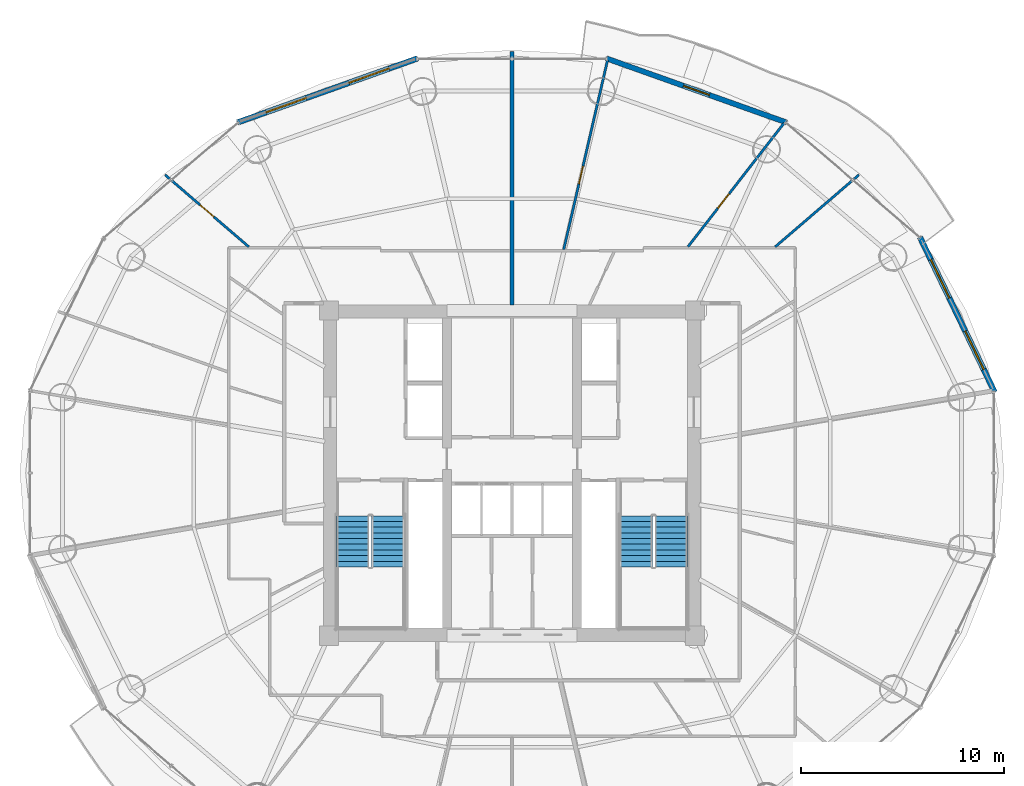
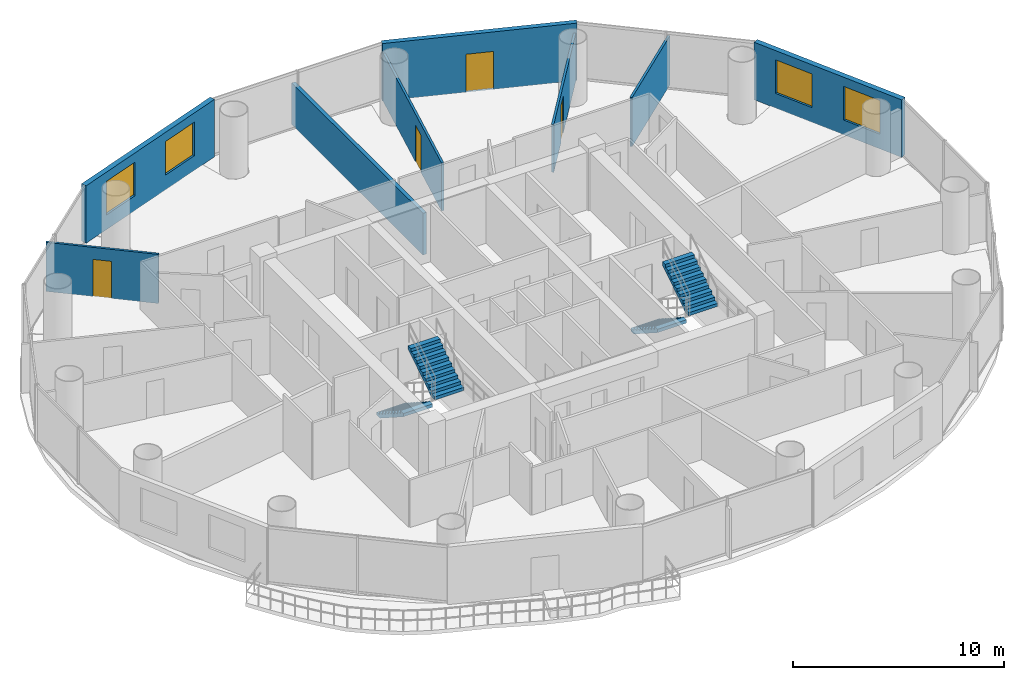
# One storey, part 23 of 26: 8 walls, 4 doors, 4 stair flights, 4 windows, 8 openings, 2 elements without a shape of their own.
"""IFC4 building model written with IfcOpenShell, lengths in metres."""

from ifc_helpers import new_model, si_unit, direction, frame, frame_2d, origin, place, context, subcontext, project, spatial, polyline, rectangle, outline, extrude, source, transform, mapped, material, layer, layer_set, type_object, element, fill, aggregate, save


model = new_model("IFC4")

# Units and contexts
model_context = context("Model", 3, precision=1e-05, world=origin(), true_north=direction((-0.2419218956, 0.970295726276)))
body_context = subcontext(model_context, "Body", "Model", "MODEL_VIEW")
ifc_project = project(units=[si_unit("LENGTHUNIT", "METRE"), si_unit("AREAUNIT", "SQUARE_METRE"), si_unit("VOLUMEUNIT", "CUBIC_METRE"), si_unit("PLANEANGLEUNIT", "RADIAN"), si_unit("MASSUNIT", "GRAM", prefix="KILO")], contexts=[model_context])

# Site, building, storey
site_placement = place(None, origin())
site = spatial("IfcSite", under=ifc_project, at=site_placement, CompositionType="ELEMENT")
building_placement = place(site_placement, origin())
building = spatial("IfcBuilding", under=site, at=building_placement, Name="Cobrevalo Terracotta Tower", CompositionType="ELEMENT")
storey_placement = place(building_placement, frame((0.0, 0.0, 135.39990234375)))
storey = spatial("IfcBuildingStorey", under=building, at=storey_placement, Name="L35", CompositionType="ELEMENT", Elevation=135.39990234375)

# Wall
ifc_material_1 = material(Name="Autoclaved aerated concrete block", Category="concrete")
ifc_layer_1 = layer(ifc_material_1, 0.199951171875)
ifc_layer_set_1 = layer_set([ifc_layer_1], Name="Autoclaved aerated concrete block")
wall_type_1 = type_object("IfcWallType", Name="Fire-rated stair, shaft & demising masonry wall 200 mm", PredefinedType="PARTITIONING", material=ifc_layer_set_1)
wall_1_placement = place(storey_placement, frame((38.0, 35.074951171875, 0.0), z_axis=(0.0, 0.0, 1.0), x_axis=(0.0, 1.0, 0.0)))
element("IfcWall", 1, at=wall_1_placement, inside=storey, type_object=wall_type_1, Name="L35 interior partition IW-L35-DEM-2", PredefinedType="PARTITIONING", context=body_context, shape_type="SweptSolid", body=[
    extrude(rectangle(XDim=12.465087890625, YDim=0.199951171875, at=frame_2d((6.232421875, 0.0))), origin(), (0.0, 0.0, 1.0), 2.4150390625),
])

# Wall, openings, windows
ifc_layer_2 = layer(ifc_material_1, 0.280029296875)
ifc_layer_set_2 = layer_set([ifc_layer_2], Name="Autoclaved aerated concrete block")
wall_type_2 = type_object("IfcWallType", Name="Insulated tower spandrel & pier wall 280 mm with terracotta rainscreen", PredefinedType="SOLIDWALL", material=ifc_layer_set_2)
wall_2_placement = place(storey_placement, frame((61.740234375, 30.780029296875, 0.0), z_axis=(0.0, 0.0, 1.0), x_axis=(-0.434209827226, 0.900811759437, 0.0)))
wall_2 = element("IfcWall", 2, at=wall_2_placement, inside=storey, type_object=wall_type_2, Name="L35 terracotta rainscreen pier wall S01", PredefinedType="SOLIDWALL", context=body_context, shape_type="SweptSolid", body=[
    extrude(rectangle(XDim=8.4716796875, YDim=0.280029296875, at=frame_2d((4.23583984375, 0.0))), origin(), (0.0, 0.0, 1.0), 3.330078125),
])
opening_1_placement = place(wall_2_placement, frame((1.2373046875, 0.0, 0.85009765625)))
opening_1 = element("IfcOpeningElement", 3, at=opening_1_placement, cuts=wall_2, Name="Opening WN-10", PredefinedType="OPENING", context=body_context, shape_type="SweptSolid", body=[
    extrude(rectangle(XDim=2.10009765625, YDim=1.949951171875, at=frame_2d((1.050048828125, 0.97509765625))), frame((0.0, 0.14990234375, 0.0), z_axis=(0.0, -1.0, 0.0), x_axis=(1.0, 0.0, 0.0)), (0.0, 0.0, 1.0), 0.300048828125),
])
opening_2_placement = place(wall_2_placement, frame((5.13427734375, 0.0, 0.85009765625)))
opening_2 = element("IfcOpeningElement", 4, at=opening_2_placement, cuts=wall_2, Name="Opening WN-10", PredefinedType="OPENING", context=body_context, shape_type="SweptSolid", body=[
    extrude(rectangle(XDim=2.10009765625, YDim=1.949951171875, at=frame_2d((1.050048828125, 0.97509765625))), frame((0.0, 0.14990234375, 0.0), z_axis=(0.0, -1.0, 0.0), x_axis=(1.0, 0.0, 0.0)), (0.0, 0.0, 1.0), 0.300048828125),
])
ifc_material_2 = material(Name="Solar-control low-E double glazing", Category="glass")
window_type = type_object("IfcWindowType", Name="Wide panoramic low-E aluminium window 2100x1950", PartitioningType="SINGLE_PANEL", PredefinedType="WINDOW", material=ifc_material_2)
shared_shape_1 = source(origin(), body_context, "Body", "SweptSolid", [
    extrude(rectangle(XDim=2.10009765625, YDim=1.949951171875, at=frame_2d((1.050048828125, 0.97509765625))), frame((0.0, 0.030029296875, 0.0), z_axis=(0.0, -1.0, 0.0), x_axis=(1.0, 0.0, 0.0)), (0.0, 0.0, 1.0), 0.06005859375),
])
window_1_placement = place(opening_1_placement, origin())
window_1 = element("IfcWindow", 5, at=window_1_placement, inside=storey, type_object=window_type, Name="L35 suite window S01A", OverallHeight=1.949951171875, OverallWidth=2.10009765625, PartitioningType="SINGLE_PANEL", PredefinedType="WINDOW", context=body_context, shape_type="MappedRepresentation", body=[
    mapped(shared_shape_1, transform((0.0, 0.0, 0.0), scale=1.0)),
])
fill(opening_1, window_1)
window_2_placement = place(opening_2_placement, origin())
window_2 = element("IfcWindow", 6, at=window_2_placement, inside=storey, type_object=window_type, Name="L35 suite window S01B", OverallHeight=1.949951171875, OverallWidth=2.10009765625, PartitioningType="SINGLE_PANEL", PredefinedType="WINDOW", context=body_context, shape_type="MappedRepresentation", body=[
    mapped(shared_shape_1, transform((0.0, 0.0, 0.0), scale=1.0)),
])
fill(opening_2, window_2)

wall_3_placement = place(storey_placement, frame((33.360107421875, 47.19775390625, 0.0), z_axis=(0.0, 0.0, 1.0), x_axis=(-0.942095406405, -0.335344964522, 0.0)))
wall_3 = element("IfcWall", 7, at=wall_3_placement, inside=storey, type_object=wall_type_2, Name="L35 terracotta rainscreen pier wall S05", PredefinedType="SOLIDWALL", context=body_context, shape_type="SweptSolid", body=[
    extrude(rectangle(XDim=9.408203125, YDim=0.280029296875, at=frame_2d((4.7041015625, 0.0))), origin(), (0.0, 0.0, 1.0), 3.330078125),
])
opening_3_placement = place(wall_3_placement, frame((1.490234375, 0.0, 0.85009765625)))
opening_3 = element("IfcOpeningElement", 8, at=opening_3_placement, cuts=wall_3, Name="Opening WN-10", PredefinedType="OPENING", context=body_context, shape_type="SweptSolid", body=[
    extrude(rectangle(XDim=2.10009765625, YDim=1.949951171875, at=frame_2d((1.050048828125, 0.97509765625))), frame((0.0, 0.14990234375, 0.0), z_axis=(0.0, -1.0, 0.0), x_axis=(1.0, 0.0, 0.0)), (0.0, 0.0, 1.0), 0.300048828125),
])
opening_4_placement = place(wall_3_placement, frame((5.818115234375, 0.0, 0.85009765625)))
opening_4 = element("IfcOpeningElement", 9, at=opening_4_placement, cuts=wall_3, Name="Opening WN-10", PredefinedType="OPENING", context=body_context, shape_type="SweptSolid", body=[
    extrude(rectangle(XDim=2.10009765625, YDim=1.949951171875, at=frame_2d((1.050048828125, 0.97509765625))), frame((0.0, 0.14990234375, 0.0), z_axis=(0.0, -1.0, 0.0), x_axis=(1.0, 0.0, 0.0)), (0.0, 0.0, 1.0), 0.300048828125),
])
window_3_placement = place(opening_3_placement, origin())
window_3 = element("IfcWindow", 10, at=window_3_placement, inside=storey, type_object=window_type, Name="L35 suite window S05A", OverallHeight=1.949951171875, OverallWidth=2.10009765625, PartitioningType="SINGLE_PANEL", PredefinedType="WINDOW", context=body_context, shape_type="MappedRepresentation", body=[
    mapped(shared_shape_1, transform((0.0, 0.0, 0.0), scale=1.0)),
])
fill(opening_3, window_3)
window_4_placement = place(opening_4_placement, origin())
window_4 = element("IfcWindow", 11, at=window_4_placement, inside=storey, type_object=window_type, Name="L35 suite window S05B", OverallHeight=1.949951171875, OverallWidth=2.10009765625, PartitioningType="SINGLE_PANEL", PredefinedType="WINDOW", context=body_context, shape_type="MappedRepresentation", body=[
    mapped(shared_shape_1, transform((0.0, 0.0, 0.0), scale=1.0)),
])
fill(opening_4, window_4)

# Wall, opening, door
ifc_layer_3 = layer(ifc_material_1, 0.260009765625)
ifc_layer_set_3 = layer_set([ifc_layer_3], Name="Autoclaved aerated concrete block")
wall_type_3 = type_object("IfcWallType", Name="Recessed balcony loggia insulated exterior wall 260 mm", PredefinedType="SOLIDWALL", material=ifc_layer_set_3)
wall_4_placement = place(storey_placement, frame((51.50341796875, 44.042724609375, 0.0), z_axis=(0.0, 0.0, 1.0), x_axis=(-0.942095406405, 0.335344964522, 0.0)))
wall_4 = element("IfcWall", 12, at=wall_4_placement, inside=storey, type_object=wall_type_3, Name="L35 balcony loggia wall S03", PredefinedType="SOLIDWALL", context=body_context, shape_type="SweptSolid", body=[
    extrude(rectangle(XDim=9.408203125, YDim=0.260009765625, at=frame_2d((4.7041015625, 0.0))), origin(), (0.0, 0.0, 1.0), 3.330078125),
])
opening_5_placement = place(wall_4_placement, frame((4.029052734375, 0.0, 0.0)))
opening_5 = element("IfcOpeningElement", 13, at=opening_5_placement, cuts=wall_4, Name="Opening ED-05", PredefinedType="OPENING", context=body_context, shape_type="SweptSolid", body=[
    extrude(rectangle(XDim=1.35009765625, YDim=2.199951171875, at=frame_2d((0.675048828125, 1.10009765625))), frame((0.0, 0.14013671875, 0.0), z_axis=(0.0, -1.0, 0.0), x_axis=(1.0, 0.0, 0.0)), (0.0, 0.0, 1.0), 0.280029296875),
])
ifc_material_3 = material(Name="Anodized aluminium and laminated glass", Category="aluminium")
door_type_1 = type_object("IfcDoorType", Name="Suite balcony acoustic glazed terrace door 1350x2200", OperationType="NOTDEFINED", PredefinedType="DOOR", material=ifc_material_3)
shared_shape_2 = source(origin(), body_context, "Body", "SweptSolid", [
    extrude(rectangle(XDim=1.35009765625, YDim=2.199951171875, at=frame_2d((0.675048828125, 1.10009765625))), frame((0.0, 0.02490234375, 0.0), z_axis=(0.0, -1.0, 0.0), x_axis=(1.0, 0.0, 0.0)), (0.0, 0.0, 1.0), 0.050048828125),
])
door_1_placement = place(opening_5_placement, frame((1.35009765625, 0.0, 0.0), z_axis=(0.0, 0.0, 1.0), x_axis=(-1.0, 0.0, 0.0)))
door_1 = element("IfcDoor", 14, at=door_1_placement, inside=storey, type_object=door_type_1, Name="L35 glazed balcony terrace door 1", OperationType="SINGLE_SWING_LEFT", OverallHeight=2.199951171875, OverallWidth=1.35009765625, PredefinedType="DOOR", context=body_context, shape_type="MappedRepresentation", body=[
    mapped(shared_shape_2, transform((0.0, 0.0, 0.0), scale=1.0)),
])
fill(opening_5, door_1)

# Wall
ifc_material_4 = material(Name="Gypsum board on steel stud", Category="steel")
ifc_layer_4 = layer(ifc_material_4, 0.1201171875)
ifc_layer_set_4 = layer_set([ifc_layer_4], Name="Gypsum board on steel stud")
wall_type_4 = type_object("IfcWallType", Name="Residential internal acoustic stud partition 120 mm", PredefinedType="PARTITIONING", material=ifc_layer_set_4)
wall_5_placement = place(storey_placement, frame((50.944091796875, 37.92529296875, 0.0), z_axis=(0.0, 0.0, 1.0), x_axis=(0.758354915574, 0.65184186888, 0.0)))
element("IfcWall", 15, at=wall_5_placement, inside=storey, type_object=wall_type_4, Name="L35 interior partition IW-L35-U1-ORAD1", PredefinedType="PARTITIONING", context=body_context, shape_type="SweptSolid", body=[
    extrude(rectangle(XDim=5.432373046875, YDim=0.1201171875, at=frame_2d((2.71630859375, 0.0))), origin(), (0.0, 0.0, 1.0), 2.84619140625),
])

# Wall, opening, door
wall_6_placement = place(storey_placement, frame((46.655517578125, 37.933837890625, 0.0), z_axis=(0.0, 0.0, 1.0), x_axis=(0.613758289074, 0.789493991487, 0.0)))
wall_6 = element("IfcWall", 16, at=wall_6_placement, inside=storey, type_object=wall_type_4, Name="L35 interior partition IW-L35-U1-ORAD2", PredefinedType="PARTITIONING", context=body_context, shape_type="SweptSolid", body=[
    extrude(rectangle(XDim=7.695068359375, YDim=0.1201171875, at=frame_2d((3.84765625, 0.0))), origin(), (0.0, 0.0, 1.0), 2.776123046875),
])
opening_6_placement = place(wall_6_placement, frame((2.394775390625, 0.0, 0.0)))
opening_6 = element("IfcOpeningElement", 17, at=opening_6_placement, cuts=wall_6, Name="Opening ID-12", PredefinedType="OPENING", context=body_context, shape_type="SweptSolid", body=[
    extrude(rectangle(XDim=0.89990234375, YDim=2.14990234375, at=frame_2d((0.449951171875, 1.074951171875))), frame((0.0, 0.070068359375, 0.0), z_axis=(0.0, -1.0, 0.0), x_axis=(1.0, 0.0, 0.0)), (0.0, 0.0, 1.0), 0.14013671875),
])
ifc_material_5 = material(Name="Engineered timber", Category="wood")
door_type_2 = type_object("IfcDoorType", Name="Internal residence & suite timber door 900x2150", OperationType="NOTDEFINED", PredefinedType="DOOR", material=ifc_material_5)
shared_shape_3 = source(origin(), body_context, "Body", "SweptSolid", [
    extrude(rectangle(XDim=0.89990234375, YDim=2.14990234375, at=frame_2d((0.449951171875, 1.074951171875))), frame((0.0, 0.02490234375, 0.0), z_axis=(0.0, -1.0, 0.0), x_axis=(1.0, 0.0, 0.0)), (0.0, 0.0, 1.0), 0.050048828125),
])
door_2_placement = place(opening_6_placement, frame((0.89990234375, 0.0, 0.0), z_axis=(0.0, 0.0, 1.0), x_axis=(-1.0, 0.0, 0.0)))
door_2 = element("IfcDoor", 18, at=door_2_placement, inside=storey, type_object=door_type_2, Name="Flat L35A Master Bedroom internal door", OperationType="SINGLE_SWING_RIGHT", OverallHeight=2.14990234375, OverallWidth=0.89990234375, PredefinedType="DOOR", context=body_context, shape_type="MappedRepresentation", body=[
    mapped(shared_shape_3, transform((0.0, 0.0, 0.0), scale=1.0)),
])
fill(opening_6, door_2)

wall_7_placement = place(storey_placement, frame((40.542236328125, 37.785400390625, 0.0), z_axis=(0.0, 0.0, 1.0), x_axis=(0.225467545633, 0.974250679171, 0.0)))
wall_7 = element("IfcWall", 19, at=wall_7_placement, inside=storey, type_object=wall_type_4, Name="L35 interior partition IW-L35-U1-ORAD3M1", PredefinedType="PARTITIONING", context=body_context, shape_type="SweptSolid", body=[
    extrude(rectangle(XDim=9.55908203125, YDim=0.1201171875, at=frame_2d((4.779541015625, 0.0))), origin(), (0.0, 0.0, 1.0), 2.776123046875),
])
opening_7_placement = place(wall_7_placement, frame((3.3203125, 0.0, 0.0)))
opening_7 = element("IfcOpeningElement", 20, at=opening_7_placement, cuts=wall_7, Name="Opening ID-12", PredefinedType="OPENING", context=body_context, shape_type="SweptSolid", body=[
    extrude(rectangle(XDim=0.89990234375, YDim=2.14990234375, at=frame_2d((0.449951171875, 1.074951171875))), frame((0.0, 0.070068359375, 0.0), z_axis=(0.0, -1.0, 0.0), x_axis=(1.0, 0.0, 0.0)), (0.0, 0.0, 1.0), 0.14013671875),
])
door_3_placement = place(opening_7_placement, origin())
door_3 = element("IfcDoor", 21, at=door_3_placement, inside=storey, type_object=door_type_2, Name="Flat L35A Principal Guest Bedroom internal door", OperationType="SINGLE_SWING_LEFT", OverallHeight=2.14990234375, OverallWidth=0.89990234375, PredefinedType="DOOR", context=body_context, shape_type="MappedRepresentation", body=[
    mapped(shared_shape_3, transform((0.0, 0.0, 0.0), scale=1.0)),
])
fill(opening_7, door_3)

wall_8_placement = place(storey_placement, frame((25.055908203125, 37.92529296875, 0.0), z_axis=(0.0, 0.0, 1.0), x_axis=(-0.758354915574, 0.65184186888, 0.0)))
wall_8 = element("IfcWall", 22, at=wall_8_placement, inside=storey, type_object=wall_type_4, Name="L35 interior partition IW-L35-U2-ORAD1", PredefinedType="PARTITIONING", context=body_context, shape_type="SweptSolid", body=[
    extrude(rectangle(XDim=5.432373046875, YDim=0.1201171875, at=frame_2d((2.71630859375, 0.0))), origin(), (0.0, 0.0, 1.0), 2.84619140625),
])
opening_8_placement = place(wall_8_placement, frame((2.26611328125, 0.0, 0.0)))
opening_8 = element("IfcOpeningElement", 23, at=opening_8_placement, cuts=wall_8, Name="Opening ID-12", PredefinedType="OPENING", context=body_context, shape_type="SweptSolid", body=[
    extrude(rectangle(XDim=0.89990234375, YDim=2.14990234375, at=frame_2d((0.449951171875, 1.074951171875))), frame((0.0, 0.070068359375, 0.0), z_axis=(0.0, -1.0, 0.0), x_axis=(1.0, 0.0, 0.0)), (0.0, 0.0, 1.0), 0.14013671875),
])
door_4_placement = place(opening_8_placement, origin())
door_4 = element("IfcDoor", 24, at=door_4_placement, inside=storey, type_object=door_type_2, Name="Flat L35B Master Bedroom internal door", OperationType="SINGLE_SWING_LEFT", OverallHeight=2.14990234375, OverallWidth=0.89990234375, PredefinedType="DOOR", context=body_context, shape_type="MappedRepresentation", body=[
    mapped(shared_shape_3, transform((0.0, 0.0, 0.0), scale=1.0)),
])
fill(opening_8, door_4)

# Stair, stair flights
ifc_material_6 = material(Name="Concrete C50", Category="concrete")
stair_type = type_object("IfcStairType", Name="Core protected escape dogleg stair 1600", PredefinedType="HALF_TURN_STAIR", material=ifc_material_6)
stair_1_placement = place(storey_placement, origin())
stair_1 = element("IfcStair", 25, at=stair_1_placement, inside=storey, type_object=stair_type, Name="L35 Protected exit stair ST-1", PredefinedType="HALF_TURN_STAIR")
stair_flight_type = type_object("IfcStairFlightType", Name="Core protected escape dogleg stair 1600 flight", PredefinedType="STRAIGHT", material=ifc_material_6)
stair_flight_1_placement = place(storey_placement, frame((30.175048828125, 24.699951171875, 0.0), z_axis=(0.0, 0.0, 1.0), x_axis=(0.0, -1.0, 0.0)))
stair_flight_1 = element("IfcStairFlight", 26, at=stair_flight_1_placement, type_object=stair_flight_type, Name="ST-1 flight 1", NumberOfRisers=10, NumberOfTreads=9, PredefinedType="STRAIGHT", RiserHeight=0.18, TreadLength=0.28, context=body_context, shape_type="SweptSolid", body=[
    extrude(outline(polyline([(0.0, 0.0), (0.0, 0.179931640625), (0.280029296875, 0.179931640625), (0.280029296875, 0.360107421875), (0.56005859375, 0.360107421875), (0.56005859375, 0.5400390625), (0.840087890625, 0.5400390625), (0.840087890625, 0.719970703125), (1.1201171875, 0.719970703125), (1.1201171875, 0.89990234375), (1.39990234375, 0.89990234375), (1.39990234375, 1.080078125), (1.679931640625, 1.080078125), (1.679931640625, 1.260009765625), (1.9599609375, 1.260009765625), (1.9599609375, 1.43994140625), (2.239990234375, 1.43994140625), (2.239990234375, 1.6201171875), (2.52001953125, 1.6201171875), (2.52001953125, 1.800048828125), (2.52001953125, 1.429931640625), (0.295654296875, 0.0), (0.0, 0.0)])), frame((0.0, 0.800048828125, 0.0), z_axis=(0.0, -1.0, 0.0), x_axis=(1.0, 0.0, 0.0)), (0.0, 0.0, 1.0), 1.60009765625),
])
stair_flight_2_placement = place(storey_placement, frame((31.89501953125, 22.179931640625, 1.800048828125), z_axis=(0.0, 0.0, 1.0), x_axis=(0.0, 1.0, 0.0)))
stair_flight_2 = element("IfcStairFlight", 27, at=stair_flight_2_placement, type_object=stair_flight_type, Name="ST-1 flight 2", NumberOfRisers=10, NumberOfTreads=9, PredefinedType="STRAIGHT", RiserHeight=0.18, TreadLength=0.28, context=body_context, shape_type="SweptSolid", body=[
    extrude(outline(polyline([(0.0, 0.0), (0.0, 0.179931640625), (0.280029296875, 0.179931640625), (0.280029296875, 0.360107421875), (0.56005859375, 0.360107421875), (0.56005859375, 0.5400390625), (0.840087890625, 0.5400390625), (0.840087890625, 0.719970703125), (1.1201171875, 0.719970703125), (1.1201171875, 0.89990234375), (1.39990234375, 0.89990234375), (1.39990234375, 1.080078125), (1.679931640625, 1.080078125), (1.679931640625, 1.260009765625), (1.9599609375, 1.260009765625), (1.9599609375, 1.43994140625), (2.239990234375, 1.43994140625), (2.239990234375, 1.6201171875), (2.52001953125, 1.6201171875), (2.52001953125, 1.800048828125), (2.52001953125, 1.429931640625), (0.295654296875, 0.0), (0.0, 0.0)])), frame((0.0, 0.800048828125, 0.0), z_axis=(0.0, -1.0, 0.0), x_axis=(1.0, 0.0, 0.0)), (0.0, 0.0, 1.0), 1.60009765625),
])
aggregate(stair_1, [stair_flight_1, stair_flight_2])

stair_2_placement = place(storey_placement, origin())
stair_2 = element("IfcStair", 28, at=stair_2_placement, inside=storey, type_object=stair_type, Name="L35 Protected exit stair ST-2", PredefinedType="HALF_TURN_STAIR")
stair_flight_3_placement = place(storey_placement, frame((44.10498046875, 24.699951171875, 0.0), z_axis=(0.0, 0.0, 1.0), x_axis=(0.0, -1.0, 0.0)))
stair_flight_3 = element("IfcStairFlight", 29, at=stair_flight_3_placement, type_object=stair_flight_type, Name="ST-2 flight 1", NumberOfRisers=10, NumberOfTreads=9, PredefinedType="STRAIGHT", RiserHeight=0.18, TreadLength=0.28, context=body_context, shape_type="SweptSolid", body=[
    extrude(outline(polyline([(0.0, 0.0), (0.0, 0.179931640625), (0.280029296875, 0.179931640625), (0.280029296875, 0.360107421875), (0.56005859375, 0.360107421875), (0.56005859375, 0.5400390625), (0.840087890625, 0.5400390625), (0.840087890625, 0.719970703125), (1.1201171875, 0.719970703125), (1.1201171875, 0.89990234375), (1.39990234375, 0.89990234375), (1.39990234375, 1.080078125), (1.679931640625, 1.080078125), (1.679931640625, 1.260009765625), (1.9599609375, 1.260009765625), (1.9599609375, 1.43994140625), (2.239990234375, 1.43994140625), (2.239990234375, 1.6201171875), (2.52001953125, 1.6201171875), (2.52001953125, 1.800048828125), (2.52001953125, 1.429931640625), (0.295654296875, 0.0), (0.0, 0.0)])), frame((0.0, 0.800048828125, 0.0), z_axis=(0.0, -1.0, 0.0), x_axis=(1.0, 0.0, 0.0)), (0.0, 0.0, 1.0), 1.60009765625),
])
stair_flight_4_placement = place(storey_placement, frame((45.824951171875, 22.179931640625, 1.800048828125), z_axis=(0.0, 0.0, 1.0), x_axis=(0.0, 1.0, 0.0)))
stair_flight_4 = element("IfcStairFlight", 30, at=stair_flight_4_placement, type_object=stair_flight_type, Name="ST-2 flight 2", NumberOfRisers=10, NumberOfTreads=9, PredefinedType="STRAIGHT", RiserHeight=0.18, TreadLength=0.28, context=body_context, shape_type="SweptSolid", body=[
    extrude(outline(polyline([(0.0, 0.0), (0.0, 0.179931640625), (0.280029296875, 0.179931640625), (0.280029296875, 0.360107421875), (0.56005859375, 0.360107421875), (0.56005859375, 0.5400390625), (0.840087890625, 0.5400390625), (0.840087890625, 0.719970703125), (1.1201171875, 0.719970703125), (1.1201171875, 0.89990234375), (1.39990234375, 0.89990234375), (1.39990234375, 1.080078125), (1.679931640625, 1.080078125), (1.679931640625, 1.260009765625), (1.9599609375, 1.260009765625), (1.9599609375, 1.43994140625), (2.239990234375, 1.43994140625), (2.239990234375, 1.6201171875), (2.52001953125, 1.6201171875), (2.52001953125, 1.800048828125), (2.52001953125, 1.429931640625), (0.295654296875, 0.0), (0.0, 0.0)])), frame((0.0, 0.800048828125, 0.0), z_axis=(0.0, -1.0, 0.0), x_axis=(1.0, 0.0, 0.0)), (0.0, 0.0, 1.0), 1.60009765625),
])
aggregate(stair_2, [stair_flight_3, stair_flight_4])

save(model, "model.ifc")
